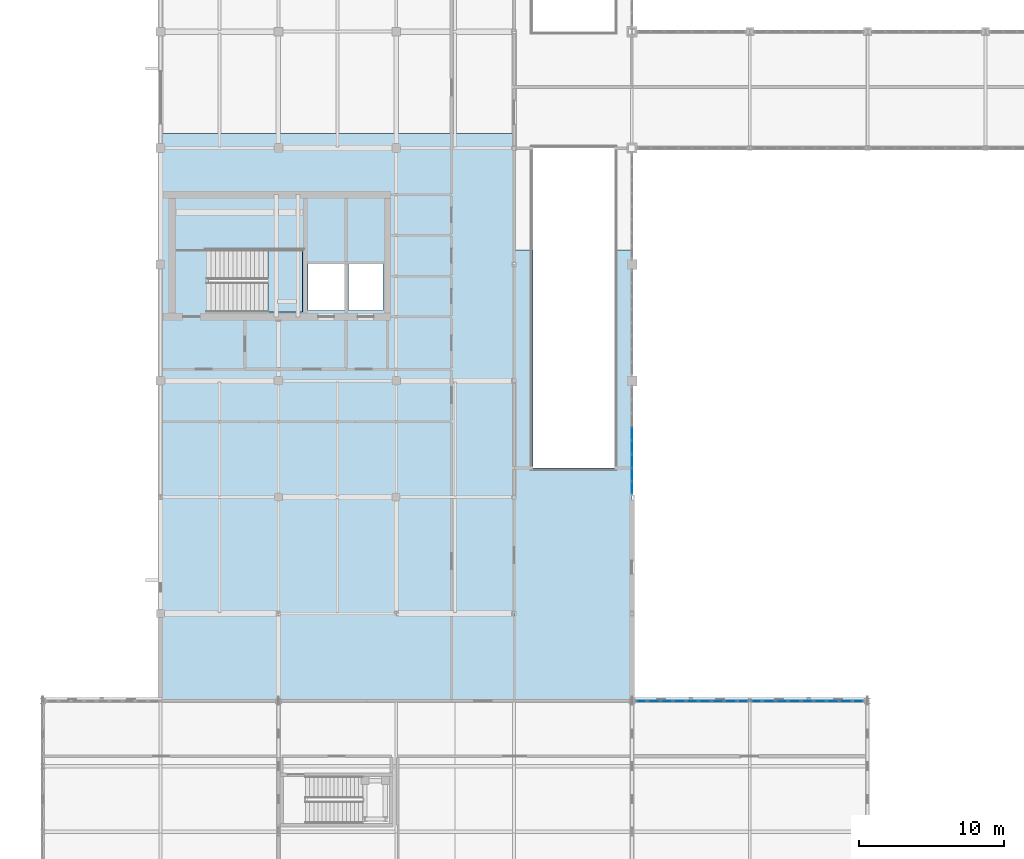
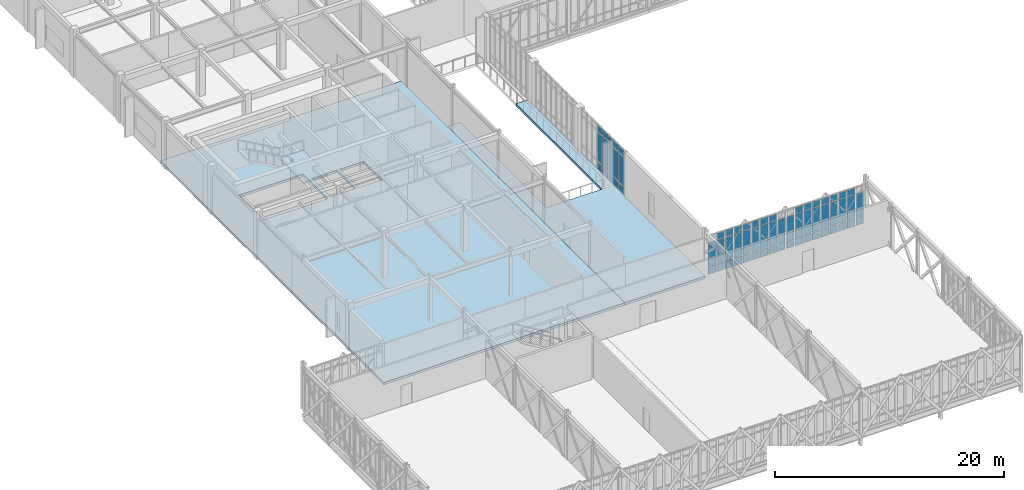
# One storey, part 68 of 107: 65 plates, 3 slabs, 4 elements without a shape of their own.
"""IFC4 building model written with IfcOpenShell, lengths in metres."""

from ifc_helpers import new_model, si_unit, direction, frame, origin, origin_2d, place, context, subcontext, project, spatial, polyline, rectangle, outline, extrude, material, layer, layer_set, type_object, element, aggregate, save


model = new_model("IFC4")

# Units and contexts
model_context = context("Model", 3, precision=1e-05, world=origin(), true_north=direction((0.0, 1.0)))
body_context = subcontext(model_context, "Body", "Model", "MODEL_VIEW")
ifc_project = project(units=[si_unit("LENGTHUNIT", "METRE"), si_unit("AREAUNIT", "SQUARE_METRE"), si_unit("VOLUMEUNIT", "CUBIC_METRE"), si_unit("PLANEANGLEUNIT", "RADIAN"), si_unit("MASSUNIT", "GRAM", prefix="KILO")], contexts=[model_context])

# Site, building, storey
site_placement = place(None, origin())
site = spatial("IfcSite", under=ifc_project, at=site_placement, CompositionType="ELEMENT")
building_placement = place(site_placement, origin())
building = spatial("IfcBuilding", under=site, at=building_placement, Name="Tarnveldt Square Police Headquarters", CompositionType="ELEMENT")
storey_placement = place(building_placement, frame((0.0, 0.0, 14.699951171875)))
storey = spatial("IfcBuildingStorey", under=building, at=storey_placement, Name="L03", CompositionType="ELEMENT", Elevation=14.699951171875)

# Curtain wall, plates
ifc_material_1 = material(Name="UL 752 Level III laminated ballistic vision glass", Category="glass")
curtain_wall_type_1 = type_object("IfcCurtainWallType", Name="CW-BL-790x422", PredefinedType="USERDEFINED", material=ifc_material_1)
curtain_wall_1_placement = place(storey_placement, origin())
curtain_wall_1 = element("IfcCurtainWall", 1, at=curtain_wall_1_placement, inside=storey, type_object=curtain_wall_type_1, Name="L03 Curtain Wall CW-L03-031", ObjectType="BALLISTIC CURTAIN WALL", PredefinedType="USERDEFINED")
ifc_layer_1 = layer(ifc_material_1, 0.0380859375)
ifc_layer_set_1 = layer_set([ifc_layer_1], Name="UL 752 Level III laminated ballistic vision glass")
plate_type_1 = type_object("IfcPlateType", Name="CWP-BAL-38", PredefinedType="CURTAIN_PANEL", material=ifc_layer_set_1)
plate_1_placement = place(storey_placement, frame((49.261962890625, 34.0, 0.074951171875), z_axis=(0.0, 0.0, 1.0), x_axis=(1.0, 0.0, 0.0)))
plate_1 = element("IfcPlate", 2, at=plate_1_placement, type_object=plate_type_1, Name="CW-BL14 panel 1.1", PredefinedType="CURTAIN_PANEL", context=body_context, shape_type="SweptSolid", body=[
    extrude(rectangle(XDim=0.75, YDim=0.0380859375, at=origin_2d()), origin(), (0.0, 0.0, 1.0), 0.78759765625),
])
plate_2_placement = place(storey_placement, frame((49.261962890625, 34.0, 0.9375), z_axis=(0.0, 0.0, 1.0), x_axis=(1.0, 0.0, 0.0)))
plate_2 = element("IfcPlate", 3, at=plate_2_placement, type_object=plate_type_1, Name="CW-BL14 panel 1.2", PredefinedType="CURTAIN_PANEL", context=body_context, shape_type="SweptSolid", body=[
    extrude(rectangle(XDim=0.75, YDim=0.0380859375, at=origin_2d()), origin(), (0.0, 0.0, 1.0), 2.4951171875),
])
plate_3_placement = place(storey_placement, frame((50.118408203125, 34.0, 0.074951171875), z_axis=(0.0, 0.0, 1.0), x_axis=(1.0, 0.0, 0.0)))
plate_3 = element("IfcPlate", 4, at=plate_3_placement, type_object=plate_type_1, Name="CW-BL14 panel 2.1", PredefinedType="CURTAIN_PANEL", context=body_context, shape_type="SweptSolid", body=[
    extrude(rectangle(XDim=0.79248046875, YDim=0.0380859375, at=origin_2d()), origin(), (0.0, 0.0, 1.0), 0.78759765625),
])
plate_4_placement = place(storey_placement, frame((50.118408203125, 34.0, 0.9375), z_axis=(0.0, 0.0, 1.0), x_axis=(1.0, 0.0, 0.0)))
plate_4 = element("IfcPlate", 5, at=plate_4_placement, type_object=plate_type_1, Name="CW-BL14 panel 2.2", PredefinedType="CURTAIN_PANEL", context=body_context, shape_type="SweptSolid", body=[
    extrude(rectangle(XDim=0.79248046875, YDim=0.0380859375, at=origin_2d()), origin(), (0.0, 0.0, 1.0), 2.4951171875),
])
plate_5_placement = place(storey_placement, frame((50.118408203125, 34.0, 3.5078125), z_axis=(0.0, 0.0, 1.0), x_axis=(1.0, 0.0, 0.0)))
plate_5 = element("IfcPlate", 6, at=plate_5_placement, type_object=plate_type_1, Name="CW-BL14 panel 2.3", PredefinedType="CURTAIN_PANEL", context=body_context, shape_type="SweptSolid", body=[
    extrude(rectangle(XDim=0.79248046875, YDim=0.0380859375, at=origin_2d()), origin(), (0.0, 0.0, 1.0), 0.637451171875),
])
plate_6_placement = place(storey_placement, frame((50.995849609375, 34.0, 0.074951171875), z_axis=(0.0, 0.0, 1.0), x_axis=(1.0, 0.0, 0.0)))
plate_6 = element("IfcPlate", 7, at=plate_6_placement, type_object=plate_type_1, Name="CW-BL14 panel 3.1", PredefinedType="CURTAIN_PANEL", context=body_context, shape_type="SweptSolid", body=[
    extrude(rectangle(XDim=0.79248046875, YDim=0.0380859375, at=origin_2d()), origin(), (0.0, 0.0, 1.0), 0.78759765625),
])
plate_7_placement = place(storey_placement, frame((50.995849609375, 34.0, 0.9375), z_axis=(0.0, 0.0, 1.0), x_axis=(1.0, 0.0, 0.0)))
plate_7 = element("IfcPlate", 8, at=plate_7_placement, type_object=plate_type_1, Name="CW-BL14 panel 3.2", PredefinedType="CURTAIN_PANEL", context=body_context, shape_type="SweptSolid", body=[
    extrude(rectangle(XDim=0.79248046875, YDim=0.0380859375, at=origin_2d()), origin(), (0.0, 0.0, 1.0), 2.4951171875),
])
plate_8_placement = place(storey_placement, frame((50.995849609375, 34.0, 3.5078125), z_axis=(0.0, 0.0, 1.0), x_axis=(1.0, 0.0, 0.0)))
plate_8 = element("IfcPlate", 9, at=plate_8_placement, type_object=plate_type_1, Name="CW-BL14 panel 3.3", PredefinedType="CURTAIN_PANEL", context=body_context, shape_type="SweptSolid", body=[
    extrude(rectangle(XDim=0.79248046875, YDim=0.0380859375, at=origin_2d()), origin(), (0.0, 0.0, 1.0), 0.637451171875),
])
plate_9_placement = place(storey_placement, frame((51.87353515625, 34.0, 0.074951171875), z_axis=(0.0, 0.0, 1.0), x_axis=(1.0, 0.0, 0.0)))
plate_9 = element("IfcPlate", 10, at=plate_9_placement, type_object=plate_type_1, Name="CW-BL14 panel 4.1", PredefinedType="CURTAIN_PANEL", context=body_context, shape_type="SweptSolid", body=[
    extrude(rectangle(XDim=0.79248046875, YDim=0.0380859375, at=origin_2d()), origin(), (0.0, 0.0, 1.0), 0.78759765625),
])
plate_10_placement = place(storey_placement, frame((51.87353515625, 34.0, 0.9375), z_axis=(0.0, 0.0, 1.0), x_axis=(1.0, 0.0, 0.0)))
plate_10 = element("IfcPlate", 11, at=plate_10_placement, type_object=plate_type_1, Name="CW-BL14 panel 4.2", PredefinedType="CURTAIN_PANEL", context=body_context, shape_type="SweptSolid", body=[
    extrude(rectangle(XDim=0.79248046875, YDim=0.0380859375, at=origin_2d()), origin(), (0.0, 0.0, 1.0), 2.4951171875),
])
plate_11_placement = place(storey_placement, frame((51.87353515625, 34.0, 3.5078125), z_axis=(0.0, 0.0, 1.0), x_axis=(1.0, 0.0, 0.0)))
plate_11 = element("IfcPlate", 12, at=plate_11_placement, type_object=plate_type_1, Name="CW-BL14 panel 4.3", PredefinedType="CURTAIN_PANEL", context=body_context, shape_type="SweptSolid", body=[
    extrude(rectangle(XDim=0.79248046875, YDim=0.0380859375, at=origin_2d()), origin(), (0.0, 0.0, 1.0), 0.637451171875),
])
plate_12_placement = place(storey_placement, frame((52.7509765625, 34.0, 0.074951171875), z_axis=(0.0, 0.0, 1.0), x_axis=(1.0, 0.0, 0.0)))
plate_12 = element("IfcPlate", 13, at=plate_12_placement, type_object=plate_type_1, Name="CW-BL14 panel 5.1", PredefinedType="CURTAIN_PANEL", context=body_context, shape_type="SweptSolid", body=[
    extrude(rectangle(XDim=0.79248046875, YDim=0.0380859375, at=origin_2d()), origin(), (0.0, 0.0, 1.0), 0.78759765625),
])
plate_13_placement = place(storey_placement, frame((52.7509765625, 34.0, 0.9375), z_axis=(0.0, 0.0, 1.0), x_axis=(1.0, 0.0, 0.0)))
plate_13 = element("IfcPlate", 14, at=plate_13_placement, type_object=plate_type_1, Name="CW-BL14 panel 5.2", PredefinedType="CURTAIN_PANEL", context=body_context, shape_type="SweptSolid", body=[
    extrude(rectangle(XDim=0.79248046875, YDim=0.0380859375, at=origin_2d()), origin(), (0.0, 0.0, 1.0), 2.4951171875),
])
plate_14_placement = place(storey_placement, frame((52.7509765625, 34.0, 3.5078125), z_axis=(0.0, 0.0, 1.0), x_axis=(1.0, 0.0, 0.0)))
plate_14 = element("IfcPlate", 15, at=plate_14_placement, type_object=plate_type_1, Name="CW-BL14 panel 5.3", PredefinedType="CURTAIN_PANEL", context=body_context, shape_type="SweptSolid", body=[
    extrude(rectangle(XDim=0.79248046875, YDim=0.0380859375, at=origin_2d()), origin(), (0.0, 0.0, 1.0), 0.637451171875),
])
plate_15_placement = place(storey_placement, frame((53.628662109375, 34.0, 0.074951171875), z_axis=(0.0, 0.0, 1.0), x_axis=(1.0, 0.0, 0.0)))
plate_15 = element("IfcPlate", 16, at=plate_15_placement, type_object=plate_type_1, Name="CW-BL14 panel 6.1", PredefinedType="CURTAIN_PANEL", context=body_context, shape_type="SweptSolid", body=[
    extrude(rectangle(XDim=0.79248046875, YDim=0.0380859375, at=origin_2d()), origin(), (0.0, 0.0, 1.0), 0.78759765625),
])
plate_16_placement = place(storey_placement, frame((53.628662109375, 34.0, 0.9375), z_axis=(0.0, 0.0, 1.0), x_axis=(1.0, 0.0, 0.0)))
plate_16 = element("IfcPlate", 17, at=plate_16_placement, type_object=plate_type_1, Name="CW-BL14 panel 6.2", PredefinedType="CURTAIN_PANEL", context=body_context, shape_type="SweptSolid", body=[
    extrude(rectangle(XDim=0.79248046875, YDim=0.0380859375, at=origin_2d()), origin(), (0.0, 0.0, 1.0), 2.4951171875),
])
plate_17_placement = place(storey_placement, frame((53.628662109375, 34.0, 3.5078125), z_axis=(0.0, 0.0, 1.0), x_axis=(1.0, 0.0, 0.0)))
plate_17 = element("IfcPlate", 18, at=plate_17_placement, type_object=plate_type_1, Name="CW-BL14 panel 6.3", PredefinedType="CURTAIN_PANEL", context=body_context, shape_type="SweptSolid", body=[
    extrude(rectangle(XDim=0.79248046875, YDim=0.0380859375, at=origin_2d()), origin(), (0.0, 0.0, 1.0), 0.637451171875),
])
plate_18_placement = place(storey_placement, frame((54.506103515625, 34.0, 0.074951171875), z_axis=(0.0, 0.0, 1.0), x_axis=(1.0, 0.0, 0.0)))
plate_18 = element("IfcPlate", 19, at=plate_18_placement, type_object=plate_type_1, Name="CW-BL14 panel 7.1", PredefinedType="CURTAIN_PANEL", context=body_context, shape_type="SweptSolid", body=[
    extrude(rectangle(XDim=0.79248046875, YDim=0.0380859375, at=origin_2d()), origin(), (0.0, 0.0, 1.0), 0.78759765625),
])
plate_19_placement = place(storey_placement, frame((54.506103515625, 34.0, 0.9375), z_axis=(0.0, 0.0, 1.0), x_axis=(1.0, 0.0, 0.0)))
plate_19 = element("IfcPlate", 20, at=plate_19_placement, type_object=plate_type_1, Name="CW-BL14 panel 7.2", PredefinedType="CURTAIN_PANEL", context=body_context, shape_type="SweptSolid", body=[
    extrude(rectangle(XDim=0.79248046875, YDim=0.0380859375, at=origin_2d()), origin(), (0.0, 0.0, 1.0), 2.4951171875),
])
plate_20_placement = place(storey_placement, frame((54.506103515625, 34.0, 3.5078125), z_axis=(0.0, 0.0, 1.0), x_axis=(1.0, 0.0, 0.0)))
plate_20 = element("IfcPlate", 21, at=plate_20_placement, type_object=plate_type_1, Name="CW-BL14 panel 7.3", PredefinedType="CURTAIN_PANEL", context=body_context, shape_type="SweptSolid", body=[
    extrude(rectangle(XDim=0.79248046875, YDim=0.0380859375, at=origin_2d()), origin(), (0.0, 0.0, 1.0), 0.637451171875),
])
plate_21_placement = place(storey_placement, frame((55.383544921875, 34.0, 0.074951171875), z_axis=(0.0, 0.0, 1.0), x_axis=(1.0, 0.0, 0.0)))
plate_21 = element("IfcPlate", 22, at=plate_21_placement, type_object=plate_type_1, Name="CW-BL14 panel 8.1", PredefinedType="CURTAIN_PANEL", context=body_context, shape_type="SweptSolid", body=[
    extrude(rectangle(XDim=0.79248046875, YDim=0.0380859375, at=origin_2d()), origin(), (0.0, 0.0, 1.0), 0.78759765625),
])
plate_22_placement = place(storey_placement, frame((55.383544921875, 34.0, 0.9375), z_axis=(0.0, 0.0, 1.0), x_axis=(1.0, 0.0, 0.0)))
plate_22 = element("IfcPlate", 23, at=plate_22_placement, type_object=plate_type_1, Name="CW-BL14 panel 8.2", PredefinedType="CURTAIN_PANEL", context=body_context, shape_type="SweptSolid", body=[
    extrude(rectangle(XDim=0.79248046875, YDim=0.0380859375, at=origin_2d()), origin(), (0.0, 0.0, 1.0), 2.4951171875),
])
plate_23_placement = place(storey_placement, frame((55.383544921875, 34.0, 3.5078125), z_axis=(0.0, 0.0, 1.0), x_axis=(1.0, 0.0, 0.0)))
plate_23 = element("IfcPlate", 24, at=plate_23_placement, type_object=plate_type_1, Name="CW-BL14 panel 8.3", PredefinedType="CURTAIN_PANEL", context=body_context, shape_type="SweptSolid", body=[
    extrude(rectangle(XDim=0.79248046875, YDim=0.0380859375, at=origin_2d()), origin(), (0.0, 0.0, 1.0), 0.637451171875),
])
plate_24_placement = place(storey_placement, frame((56.239990234375, 34.0, 0.074951171875), z_axis=(0.0, 0.0, 1.0), x_axis=(1.0, 0.0, 0.0)))
plate_24 = element("IfcPlate", 25, at=plate_24_placement, type_object=plate_type_1, Name="CW-BL14 panel 9.1", PredefinedType="CURTAIN_PANEL", context=body_context, shape_type="SweptSolid", body=[
    extrude(rectangle(XDim=0.75, YDim=0.0380859375, at=origin_2d()), origin(), (0.0, 0.0, 1.0), 0.78759765625),
])
plate_25_placement = place(storey_placement, frame((56.239990234375, 34.0, 0.9375), z_axis=(0.0, 0.0, 1.0), x_axis=(1.0, 0.0, 0.0)))
plate_25 = element("IfcPlate", 26, at=plate_25_placement, type_object=plate_type_1, Name="CW-BL14 panel 9.2", PredefinedType="CURTAIN_PANEL", context=body_context, shape_type="SweptSolid", body=[
    extrude(rectangle(XDim=0.75, YDim=0.0380859375, at=origin_2d()), origin(), (0.0, 0.0, 1.0), 2.4951171875),
])
aggregate(curtain_wall_1, [plate_1, plate_2, plate_3, plate_4, plate_5, plate_6, plate_7, plate_8, plate_9, plate_10, plate_11, plate_12, plate_13, plate_14, plate_15, plate_16, plate_17, plate_18, plate_19, plate_20, plate_21, plate_22, plate_23, plate_24, plate_25])

curtain_wall_2_placement = place(storey_placement, origin())
curtain_wall_2 = element("IfcCurtainWall", 27, at=curtain_wall_2_placement, inside=storey, type_object=curtain_wall_type_1, Name="L03 Curtain Wall CW-L03-032", ObjectType="BALLISTIC CURTAIN WALL", PredefinedType="USERDEFINED")
plate_26_placement = place(storey_placement, frame((57.159912109375, 34.0, 0.074951171875), z_axis=(0.0, 0.0, 1.0), x_axis=(1.0, 0.0, 0.0)))
plate_26 = element("IfcPlate", 28, at=plate_26_placement, type_object=plate_type_1, Name="CW-BL14 panel 1.1", PredefinedType="CURTAIN_PANEL", context=body_context, shape_type="SweptSolid", body=[
    extrude(rectangle(XDim=0.75, YDim=0.0380859375, at=origin_2d()), origin(), (0.0, 0.0, 1.0), 0.78759765625),
])
plate_27_placement = place(storey_placement, frame((57.159912109375, 34.0, 0.9375), z_axis=(0.0, 0.0, 1.0), x_axis=(1.0, 0.0, 0.0)))
plate_27 = element("IfcPlate", 29, at=plate_27_placement, type_object=plate_type_1, Name="CW-BL14 panel 1.2", PredefinedType="CURTAIN_PANEL", context=body_context, shape_type="SweptSolid", body=[
    extrude(rectangle(XDim=0.75, YDim=0.0380859375, at=origin_2d()), origin(), (0.0, 0.0, 1.0), 2.4951171875),
])
plate_28_placement = place(storey_placement, frame((58.016357421875, 34.0, 0.074951171875), z_axis=(0.0, 0.0, 1.0), x_axis=(1.0, 0.0, 0.0)))
plate_28 = element("IfcPlate", 30, at=plate_28_placement, type_object=plate_type_1, Name="CW-BL14 panel 2.1", PredefinedType="CURTAIN_PANEL", context=body_context, shape_type="SweptSolid", body=[
    extrude(rectangle(XDim=0.79248046875, YDim=0.0380859375, at=origin_2d()), origin(), (0.0, 0.0, 1.0), 0.78759765625),
])
plate_29_placement = place(storey_placement, frame((58.016357421875, 34.0, 0.9375), z_axis=(0.0, 0.0, 1.0), x_axis=(1.0, 0.0, 0.0)))
plate_29 = element("IfcPlate", 31, at=plate_29_placement, type_object=plate_type_1, Name="CW-BL14 panel 2.2", PredefinedType="CURTAIN_PANEL", context=body_context, shape_type="SweptSolid", body=[
    extrude(rectangle(XDim=0.79248046875, YDim=0.0380859375, at=origin_2d()), origin(), (0.0, 0.0, 1.0), 2.4951171875),
])
plate_30_placement = place(storey_placement, frame((58.016357421875, 34.0, 3.5078125), z_axis=(0.0, 0.0, 1.0), x_axis=(1.0, 0.0, 0.0)))
plate_30 = element("IfcPlate", 32, at=plate_30_placement, type_object=plate_type_1, Name="CW-BL14 panel 2.3", PredefinedType="CURTAIN_PANEL", context=body_context, shape_type="SweptSolid", body=[
    extrude(rectangle(XDim=0.79248046875, YDim=0.0380859375, at=origin_2d()), origin(), (0.0, 0.0, 1.0), 0.637451171875),
])
plate_31_placement = place(storey_placement, frame((58.893798828125, 34.0, 0.074951171875), z_axis=(0.0, 0.0, 1.0), x_axis=(1.0, 0.0, 0.0)))
plate_31 = element("IfcPlate", 33, at=plate_31_placement, type_object=plate_type_1, Name="CW-BL14 panel 3.1", PredefinedType="CURTAIN_PANEL", context=body_context, shape_type="SweptSolid", body=[
    extrude(rectangle(XDim=0.79248046875, YDim=0.0380859375, at=origin_2d()), origin(), (0.0, 0.0, 1.0), 0.78759765625),
])
plate_32_placement = place(storey_placement, frame((58.893798828125, 34.0, 0.9375), z_axis=(0.0, 0.0, 1.0), x_axis=(1.0, 0.0, 0.0)))
plate_32 = element("IfcPlate", 34, at=plate_32_placement, type_object=plate_type_1, Name="CW-BL14 panel 3.2", PredefinedType="CURTAIN_PANEL", context=body_context, shape_type="SweptSolid", body=[
    extrude(rectangle(XDim=0.79248046875, YDim=0.0380859375, at=origin_2d()), origin(), (0.0, 0.0, 1.0), 2.4951171875),
])
plate_33_placement = place(storey_placement, frame((58.893798828125, 34.0, 3.5078125), z_axis=(0.0, 0.0, 1.0), x_axis=(1.0, 0.0, 0.0)))
plate_33 = element("IfcPlate", 35, at=plate_33_placement, type_object=plate_type_1, Name="CW-BL14 panel 3.3", PredefinedType="CURTAIN_PANEL", context=body_context, shape_type="SweptSolid", body=[
    extrude(rectangle(XDim=0.79248046875, YDim=0.0380859375, at=origin_2d()), origin(), (0.0, 0.0, 1.0), 0.637451171875),
])
plate_34_placement = place(storey_placement, frame((59.771484375, 34.0, 0.074951171875), z_axis=(0.0, 0.0, 1.0), x_axis=(1.0, 0.0, 0.0)))
plate_34 = element("IfcPlate", 36, at=plate_34_placement, type_object=plate_type_1, Name="CW-BL14 panel 4.1", PredefinedType="CURTAIN_PANEL", context=body_context, shape_type="SweptSolid", body=[
    extrude(rectangle(XDim=0.79248046875, YDim=0.0380859375, at=origin_2d()), origin(), (0.0, 0.0, 1.0), 0.78759765625),
])
plate_35_placement = place(storey_placement, frame((59.771484375, 34.0, 0.9375), z_axis=(0.0, 0.0, 1.0), x_axis=(1.0, 0.0, 0.0)))
plate_35 = element("IfcPlate", 37, at=plate_35_placement, type_object=plate_type_1, Name="CW-BL14 panel 4.2", PredefinedType="CURTAIN_PANEL", context=body_context, shape_type="SweptSolid", body=[
    extrude(rectangle(XDim=0.79248046875, YDim=0.0380859375, at=origin_2d()), origin(), (0.0, 0.0, 1.0), 2.4951171875),
])
plate_36_placement = place(storey_placement, frame((59.771484375, 34.0, 3.5078125), z_axis=(0.0, 0.0, 1.0), x_axis=(1.0, 0.0, 0.0)))
plate_36 = element("IfcPlate", 38, at=plate_36_placement, type_object=plate_type_1, Name="CW-BL14 panel 4.3", PredefinedType="CURTAIN_PANEL", context=body_context, shape_type="SweptSolid", body=[
    extrude(rectangle(XDim=0.79248046875, YDim=0.0380859375, at=origin_2d()), origin(), (0.0, 0.0, 1.0), 0.637451171875),
])
plate_37_placement = place(storey_placement, frame((60.64892578125, 34.0, 0.074951171875), z_axis=(0.0, 0.0, 1.0), x_axis=(1.0, 0.0, 0.0)))
plate_37 = element("IfcPlate", 39, at=plate_37_placement, type_object=plate_type_1, Name="CW-BL14 panel 5.1", PredefinedType="CURTAIN_PANEL", context=body_context, shape_type="SweptSolid", body=[
    extrude(rectangle(XDim=0.79248046875, YDim=0.0380859375, at=origin_2d()), origin(), (0.0, 0.0, 1.0), 0.78759765625),
])
plate_38_placement = place(storey_placement, frame((60.64892578125, 34.0, 0.9375), z_axis=(0.0, 0.0, 1.0), x_axis=(1.0, 0.0, 0.0)))
plate_38 = element("IfcPlate", 40, at=plate_38_placement, type_object=plate_type_1, Name="CW-BL14 panel 5.2", PredefinedType="CURTAIN_PANEL", context=body_context, shape_type="SweptSolid", body=[
    extrude(rectangle(XDim=0.79248046875, YDim=0.0380859375, at=origin_2d()), origin(), (0.0, 0.0, 1.0), 2.4951171875),
])
plate_39_placement = place(storey_placement, frame((60.64892578125, 34.0, 3.5078125), z_axis=(0.0, 0.0, 1.0), x_axis=(1.0, 0.0, 0.0)))
plate_39 = element("IfcPlate", 41, at=plate_39_placement, type_object=plate_type_1, Name="CW-BL14 panel 5.3", PredefinedType="CURTAIN_PANEL", context=body_context, shape_type="SweptSolid", body=[
    extrude(rectangle(XDim=0.79248046875, YDim=0.0380859375, at=origin_2d()), origin(), (0.0, 0.0, 1.0), 0.637451171875),
])
plate_40_placement = place(storey_placement, frame((61.526611328125, 34.0, 0.074951171875), z_axis=(0.0, 0.0, 1.0), x_axis=(1.0, 0.0, 0.0)))
plate_40 = element("IfcPlate", 42, at=plate_40_placement, type_object=plate_type_1, Name="CW-BL14 panel 6.1", PredefinedType="CURTAIN_PANEL", context=body_context, shape_type="SweptSolid", body=[
    extrude(rectangle(XDim=0.79248046875, YDim=0.0380859375, at=origin_2d()), origin(), (0.0, 0.0, 1.0), 0.78759765625),
])
plate_41_placement = place(storey_placement, frame((61.526611328125, 34.0, 0.9375), z_axis=(0.0, 0.0, 1.0), x_axis=(1.0, 0.0, 0.0)))
plate_41 = element("IfcPlate", 43, at=plate_41_placement, type_object=plate_type_1, Name="CW-BL14 panel 6.2", PredefinedType="CURTAIN_PANEL", context=body_context, shape_type="SweptSolid", body=[
    extrude(rectangle(XDim=0.79248046875, YDim=0.0380859375, at=origin_2d()), origin(), (0.0, 0.0, 1.0), 2.4951171875),
])
plate_42_placement = place(storey_placement, frame((61.526611328125, 34.0, 3.5078125), z_axis=(0.0, 0.0, 1.0), x_axis=(1.0, 0.0, 0.0)))
plate_42 = element("IfcPlate", 44, at=plate_42_placement, type_object=plate_type_1, Name="CW-BL14 panel 6.3", PredefinedType="CURTAIN_PANEL", context=body_context, shape_type="SweptSolid", body=[
    extrude(rectangle(XDim=0.79248046875, YDim=0.0380859375, at=origin_2d()), origin(), (0.0, 0.0, 1.0), 0.637451171875),
])
plate_43_placement = place(storey_placement, frame((62.404052734375, 34.0, 0.074951171875), z_axis=(0.0, 0.0, 1.0), x_axis=(1.0, 0.0, 0.0)))
plate_43 = element("IfcPlate", 45, at=plate_43_placement, type_object=plate_type_1, Name="CW-BL14 panel 7.1", PredefinedType="CURTAIN_PANEL", context=body_context, shape_type="SweptSolid", body=[
    extrude(rectangle(XDim=0.79248046875, YDim=0.0380859375, at=origin_2d()), origin(), (0.0, 0.0, 1.0), 0.78759765625),
])
plate_44_placement = place(storey_placement, frame((62.404052734375, 34.0, 0.9375), z_axis=(0.0, 0.0, 1.0), x_axis=(1.0, 0.0, 0.0)))
plate_44 = element("IfcPlate", 46, at=plate_44_placement, type_object=plate_type_1, Name="CW-BL14 panel 7.2", PredefinedType="CURTAIN_PANEL", context=body_context, shape_type="SweptSolid", body=[
    extrude(rectangle(XDim=0.79248046875, YDim=0.0380859375, at=origin_2d()), origin(), (0.0, 0.0, 1.0), 2.4951171875),
])
plate_45_placement = place(storey_placement, frame((62.404052734375, 34.0, 3.5078125), z_axis=(0.0, 0.0, 1.0), x_axis=(1.0, 0.0, 0.0)))
plate_45 = element("IfcPlate", 47, at=plate_45_placement, type_object=plate_type_1, Name="CW-BL14 panel 7.3", PredefinedType="CURTAIN_PANEL", context=body_context, shape_type="SweptSolid", body=[
    extrude(rectangle(XDim=0.79248046875, YDim=0.0380859375, at=origin_2d()), origin(), (0.0, 0.0, 1.0), 0.637451171875),
])
plate_46_placement = place(storey_placement, frame((63.28173828125, 34.0, 0.074951171875), z_axis=(0.0, 0.0, 1.0), x_axis=(1.0, 0.0, 0.0)))
plate_46 = element("IfcPlate", 48, at=plate_46_placement, type_object=plate_type_1, Name="CW-BL14 panel 8.1", PredefinedType="CURTAIN_PANEL", context=body_context, shape_type="SweptSolid", body=[
    extrude(rectangle(XDim=0.79248046875, YDim=0.0380859375, at=origin_2d()), origin(), (0.0, 0.0, 1.0), 0.78759765625),
])
plate_47_placement = place(storey_placement, frame((63.28173828125, 34.0, 0.9375), z_axis=(0.0, 0.0, 1.0), x_axis=(1.0, 0.0, 0.0)))
plate_47 = element("IfcPlate", 49, at=plate_47_placement, type_object=plate_type_1, Name="CW-BL14 panel 8.2", PredefinedType="CURTAIN_PANEL", context=body_context, shape_type="SweptSolid", body=[
    extrude(rectangle(XDim=0.79248046875, YDim=0.0380859375, at=origin_2d()), origin(), (0.0, 0.0, 1.0), 2.4951171875),
])
plate_48_placement = place(storey_placement, frame((63.28173828125, 34.0, 3.5078125), z_axis=(0.0, 0.0, 1.0), x_axis=(1.0, 0.0, 0.0)))
plate_48 = element("IfcPlate", 50, at=plate_48_placement, type_object=plate_type_1, Name="CW-BL14 panel 8.3", PredefinedType="CURTAIN_PANEL", context=body_context, shape_type="SweptSolid", body=[
    extrude(rectangle(XDim=0.79248046875, YDim=0.0380859375, at=origin_2d()), origin(), (0.0, 0.0, 1.0), 0.637451171875),
])
plate_49_placement = place(storey_placement, frame((64.137939453125, 34.0, 0.074951171875), z_axis=(0.0, 0.0, 1.0), x_axis=(1.0, 0.0, 0.0)))
plate_49 = element("IfcPlate", 51, at=plate_49_placement, type_object=plate_type_1, Name="CW-BL14 panel 9.1", PredefinedType="CURTAIN_PANEL", context=body_context, shape_type="SweptSolid", body=[
    extrude(rectangle(XDim=0.75, YDim=0.0380859375, at=origin_2d()), origin(), (0.0, 0.0, 1.0), 0.78759765625),
])
plate_50_placement = place(storey_placement, frame((64.137939453125, 34.0, 0.9375), z_axis=(0.0, 0.0, 1.0), x_axis=(1.0, 0.0, 0.0)))
plate_50 = element("IfcPlate", 52, at=plate_50_placement, type_object=plate_type_1, Name="CW-BL14 panel 9.2", PredefinedType="CURTAIN_PANEL", context=body_context, shape_type="SweptSolid", body=[
    extrude(rectangle(XDim=0.75, YDim=0.0380859375, at=origin_2d()), origin(), (0.0, 0.0, 1.0), 2.4951171875),
])
aggregate(curtain_wall_2, [plate_26, plate_27, plate_28, plate_29, plate_30, plate_31, plate_32, plate_33, plate_34, plate_35, plate_36, plate_37, plate_38, plate_39, plate_40, plate_41, plate_42, plate_43, plate_44, plate_45, plate_46, plate_47, plate_48, plate_49, plate_50])

ifc_material_2 = material(Name="Triple-glazed low-e laminated vision glass", Category="glass")
curtain_wall_type_2 = type_object("IfcCurtainWallType", Name="CW-WG-747x484", PredefinedType="USERDEFINED", material=ifc_material_2)
curtain_wall_3_placement = place(storey_placement, origin())
curtain_wall_3 = element("IfcCurtainWall", 53, at=curtain_wall_3_placement, inside=storey, type_object=curtain_wall_type_2, Name="L03 Curtain Wall CW-L03-078", ObjectType="GLAZED CURTAIN WALL", PredefinedType="USERDEFINED")
ifc_layer_2 = layer(ifc_material_2, 0.028076171875)
ifc_layer_set_2 = layer_set([ifc_layer_2], Name="Triple-glazed low-e laminated vision glass")
plate_type_2 = type_object("IfcPlateType", Name="CWP-VIS-28", PredefinedType="CURTAIN_PANEL", material=ifc_layer_set_2)
plate_51_placement = place(storey_placement, frame((48.60009765625, 48.65283203125, 0.074951171875), z_axis=(0.0, 0.0, 1.0), x_axis=(0.0, 1.0, 0.0)))
plate_51 = element("IfcPlate", 54, at=plate_51_placement, type_object=plate_type_2, Name="CW-WG38 panel 1.1", PredefinedType="CURTAIN_PANEL", context=body_context, shape_type="SweptSolid", body=[
    extrude(rectangle(XDim=0.821044921875, YDim=0.028076171875, at=origin_2d()), origin(), (0.0, 0.0, 1.0), 0.78759765625),
])
plate_52_placement = place(storey_placement, frame((48.60009765625, 48.65283203125, 0.9375), z_axis=(0.0, 0.0, 1.0), x_axis=(0.0, 1.0, 0.0)))
plate_52 = element("IfcPlate", 55, at=plate_52_placement, type_object=plate_type_2, Name="CW-WG38 panel 1.2", PredefinedType="CURTAIN_PANEL", context=body_context, shape_type="SweptSolid", body=[
    extrude(rectangle(XDim=0.821044921875, YDim=0.028076171875, at=origin_2d()), origin(), (0.0, 0.0, 1.0), 3.114990234375),
])
plate_53_placement = place(storey_placement, frame((48.60009765625, 48.65283203125, 4.12744140625), z_axis=(0.0, 0.0, 1.0), x_axis=(0.0, 1.0, 0.0)))
plate_53 = element("IfcPlate", 56, at=plate_53_placement, type_object=plate_type_2, Name="CW-WG38 panel 1.3", PredefinedType="CURTAIN_PANEL", context=body_context, shape_type="SweptSolid", body=[
    extrude(rectangle(XDim=0.821044921875, YDim=0.028076171875, at=origin_2d()), origin(), (0.0, 0.0, 1.0), 0.637451171875),
])
plate_54_placement = place(storey_placement, frame((48.60009765625, 49.567626953125, 0.074951171875), z_axis=(0.0, 0.0, 1.0), x_axis=(0.0, 1.0, 0.0)))
plate_54 = element("IfcPlate", 57, at=plate_54_placement, type_object=plate_type_2, Name="CW-WG38 panel 2.1", PredefinedType="CURTAIN_PANEL", context=body_context, shape_type="SweptSolid", body=[
    extrude(rectangle(XDim=0.8583984375, YDim=0.028076171875, at=origin_2d()), origin(), (0.0, 0.0, 1.0), 0.78759765625),
])
plate_55_placement = place(storey_placement, frame((48.60009765625, 49.567626953125, 0.9375), z_axis=(0.0, 0.0, 1.0), x_axis=(0.0, 1.0, 0.0)))
plate_55 = element("IfcPlate", 58, at=plate_55_placement, type_object=plate_type_2, Name="CW-WG38 panel 2.2", PredefinedType="CURTAIN_PANEL", context=body_context, shape_type="SweptSolid", body=[
    extrude(rectangle(XDim=0.8583984375, YDim=0.028076171875, at=origin_2d()), origin(), (0.0, 0.0, 1.0), 3.114990234375),
])
plate_56_placement = place(storey_placement, frame((48.60009765625, 49.567626953125, 4.12744140625), z_axis=(0.0, 0.0, 1.0), x_axis=(0.0, 1.0, 0.0)))
plate_56 = element("IfcPlate", 59, at=plate_56_placement, type_object=plate_type_2, Name="CW-WG38 panel 2.3", PredefinedType="CURTAIN_PANEL", context=body_context, shape_type="SweptSolid", body=[
    extrude(rectangle(XDim=0.8583984375, YDim=0.028076171875, at=origin_2d()), origin(), (0.0, 0.0, 1.0), 0.637451171875),
])
plate_57_placement = place(storey_placement, frame((48.60009765625, 50.5009765625, 0.074951171875), z_axis=(0.0, 0.0, 1.0), x_axis=(0.0, 1.0, 0.0)))
plate_57 = element("IfcPlate", 60, at=plate_57_placement, type_object=plate_type_2, Name="CW-WG38 panel 3.1", PredefinedType="CURTAIN_PANEL", context=body_context, shape_type="SweptSolid", body=[
    extrude(rectangle(XDim=0.8583984375, YDim=0.028076171875, at=origin_2d()), origin(), (0.0, 0.0, 1.0), 0.78759765625),
])
plate_58_placement = place(storey_placement, frame((48.60009765625, 50.5009765625, 0.9375), z_axis=(0.0, 0.0, 1.0), x_axis=(0.0, 1.0, 0.0)))
plate_58 = element("IfcPlate", 61, at=plate_58_placement, type_object=plate_type_2, Name="CW-WG38 panel 3.2", PredefinedType="CURTAIN_PANEL", context=body_context, shape_type="SweptSolid", body=[
    extrude(rectangle(XDim=0.8583984375, YDim=0.028076171875, at=origin_2d()), origin(), (0.0, 0.0, 1.0), 3.114990234375),
])
plate_59_placement = place(storey_placement, frame((48.60009765625, 50.5009765625, 4.12744140625), z_axis=(0.0, 0.0, 1.0), x_axis=(0.0, 1.0, 0.0)))
plate_59 = element("IfcPlate", 62, at=plate_59_placement, type_object=plate_type_2, Name="CW-WG38 panel 3.3", PredefinedType="CURTAIN_PANEL", context=body_context, shape_type="SweptSolid", body=[
    extrude(rectangle(XDim=0.8583984375, YDim=0.028076171875, at=origin_2d()), origin(), (0.0, 0.0, 1.0), 0.637451171875),
])
plate_60_placement = place(storey_placement, frame((48.60009765625, 51.4345703125, 0.074951171875), z_axis=(0.0, 0.0, 1.0), x_axis=(0.0, 1.0, 0.0)))
plate_60 = element("IfcPlate", 63, at=plate_60_placement, type_object=plate_type_2, Name="CW-WG38 panel 4.1", PredefinedType="CURTAIN_PANEL", context=body_context, shape_type="SweptSolid", body=[
    extrude(rectangle(XDim=0.8583984375, YDim=0.028076171875, at=origin_2d()), origin(), (0.0, 0.0, 1.0), 0.78759765625),
])
plate_61_placement = place(storey_placement, frame((48.60009765625, 51.4345703125, 0.9375), z_axis=(0.0, 0.0, 1.0), x_axis=(0.0, 1.0, 0.0)))
plate_61 = element("IfcPlate", 64, at=plate_61_placement, type_object=plate_type_2, Name="CW-WG38 panel 4.2", PredefinedType="CURTAIN_PANEL", context=body_context, shape_type="SweptSolid", body=[
    extrude(rectangle(XDim=0.8583984375, YDim=0.028076171875, at=origin_2d()), origin(), (0.0, 0.0, 1.0), 3.114990234375),
])
plate_62_placement = place(storey_placement, frame((48.60009765625, 51.4345703125, 4.12744140625), z_axis=(0.0, 0.0, 1.0), x_axis=(0.0, 1.0, 0.0)))
plate_62 = element("IfcPlate", 65, at=plate_62_placement, type_object=plate_type_2, Name="CW-WG38 panel 4.3", PredefinedType="CURTAIN_PANEL", context=body_context, shape_type="SweptSolid", body=[
    extrude(rectangle(XDim=0.8583984375, YDim=0.028076171875, at=origin_2d()), origin(), (0.0, 0.0, 1.0), 0.637451171875),
])
plate_63_placement = place(storey_placement, frame((48.60009765625, 52.367919921875, 0.074951171875), z_axis=(0.0, 0.0, 1.0), x_axis=(0.0, 1.0, 0.0)))
plate_63 = element("IfcPlate", 66, at=plate_63_placement, type_object=plate_type_2, Name="CW-WG38 panel 5.1", PredefinedType="CURTAIN_PANEL", context=body_context, shape_type="SweptSolid", body=[
    extrude(rectangle(XDim=0.8583984375, YDim=0.028076171875, at=origin_2d()), origin(), (0.0, 0.0, 1.0), 0.78759765625),
])
plate_64_placement = place(storey_placement, frame((48.60009765625, 52.367919921875, 0.9375), z_axis=(0.0, 0.0, 1.0), x_axis=(0.0, 1.0, 0.0)))
plate_64 = element("IfcPlate", 67, at=plate_64_placement, type_object=plate_type_2, Name="CW-WG38 panel 5.2", PredefinedType="CURTAIN_PANEL", context=body_context, shape_type="SweptSolid", body=[
    extrude(rectangle(XDim=0.8583984375, YDim=0.028076171875, at=origin_2d()), origin(), (0.0, 0.0, 1.0), 3.114990234375),
])
plate_65_placement = place(storey_placement, frame((48.60009765625, 52.367919921875, 4.12744140625), z_axis=(0.0, 0.0, 1.0), x_axis=(0.0, 1.0, 0.0)))
plate_65 = element("IfcPlate", 68, at=plate_65_placement, type_object=plate_type_2, Name="CW-WG38 panel 5.3", PredefinedType="CURTAIN_PANEL", context=body_context, shape_type="SweptSolid", body=[
    extrude(rectangle(XDim=0.8583984375, YDim=0.028076171875, at=origin_2d()), origin(), (0.0, 0.0, 1.0), 0.637451171875),
])
aggregate(curtain_wall_3, [plate_51, plate_52, plate_53, plate_54, plate_55, plate_56, plate_57, plate_58, plate_59, plate_60, plate_61, plate_62, plate_63, plate_64, plate_65])

# Stair, slab
ifc_material_3 = material(Name="Concrete 40 MPa", Category="concrete")
stair_type = type_object("IfcStairType", Name="STR-HT-48A", PredefinedType="HALF_TURN_STAIR", material=ifc_material_3)
stair_placement = place(storey_placement, origin())
stair = element("IfcStair", 69, at=stair_placement, inside=storey, type_object=stair_type, Name="L03 Core K1 Exit Stair ST1", PredefinedType="HALF_TURN_STAIR")
ifc_layer_3 = layer(ifc_material_3, 0.179931640625)
ifc_layer_set_3 = layer_set([ifc_layer_3], Name="Concrete 40 MPa")
slab_type_1 = type_object("IfcSlabType", Name="SL-LND-180", PredefinedType="LANDING", material=ifc_layer_set_3)
slab_1_placement = place(storey_placement, frame((0.0, 0.0, 2.35009765625)))
slab_1 = element("IfcSlab", 70, at=slab_1_placement, type_object=slab_type_1, Name="ST1 landing 1", PredefinedType="LANDING", context=body_context, shape_type="SweptSolid", body=[
    extrude(outline(polyline([(23.570068359375, 60.719970703125), (25.969970703125, 60.719970703125), (25.969970703125, 65.02001953125), (23.570068359375, 65.02001953125), (23.570068359375, 60.719970703125)])), origin(), (0.0, 0.0, 1.0), 0.199951171875),
])
aggregate(stair, [slab_1])

# Slabs
ifc_layer_4 = layer(ifc_material_3, 0.260009765625)
ifc_layer_set_4 = layer_set([ifc_layer_4], Name="Concrete 40 MPa")
slab_type_2 = type_object("IfcSlabType", Name="SL-MID-260", PredefinedType="FLOOR", material=ifc_layer_set_4)
slab_2_placement = place(storey_placement, frame((0.0, 0.0, -0.260009765625)))
element("IfcSlab", 71, at=slab_2_placement, inside=storey, type_object=slab_type_2, Name="L03 Structural Floor Slab L03-V5-1", PredefinedType="FLOOR", context=body_context, shape_type="SweptSolid", body=[
    extrude(outline(polyline([(40.5, 34.0), (16.199951171875, 34.0), (16.199951171875, 73.0), (40.5, 73.0), (40.5, 34.0)]), holes=[polyline([(26.330078125, 64.050048828125), (26.330078125, 60.85009765625), (28.8349609375, 60.85009765625), (28.8349609375, 64.050048828125), (26.330078125, 64.050048828125)]), polyline([(29.114990234375, 60.85009765625), (31.47998046875, 60.85009765625), (31.47998046875, 64.050048828125), (29.114990234375, 64.050048828125), (29.114990234375, 60.85009765625)]), polyline([(19.510009765625, 65.02001953125), (19.510009765625, 60.719970703125), (25.969970703125, 60.719970703125), (25.969970703125, 65.02001953125), (19.510009765625, 65.02001953125)])]), origin(), (0.0, 0.0, 1.0), 0.260009765625),
])
slab_3_placement = place(storey_placement, frame((0.0, 0.0, -0.260009765625)))
element("IfcSlab", 72, at=slab_3_placement, inside=storey, type_object=slab_type_2, Name="L03 Structural Floor Slab L03-WG-1", PredefinedType="FLOOR", context=body_context, shape_type="SweptSolid", body=[
    extrude(outline(polyline([(40.5, 65.0), (41.800048828125, 65.0), (41.800048828125, 50.0), (47.39990234375, 50.0), (47.39990234375, 65.0), (48.60009765625, 65.0), (48.60009765625, 34.0), (40.5, 34.0), (40.5, 65.0)])), origin(), (0.0, 0.0, 1.0), 0.260009765625),
])

save(model, "model.ifc")
